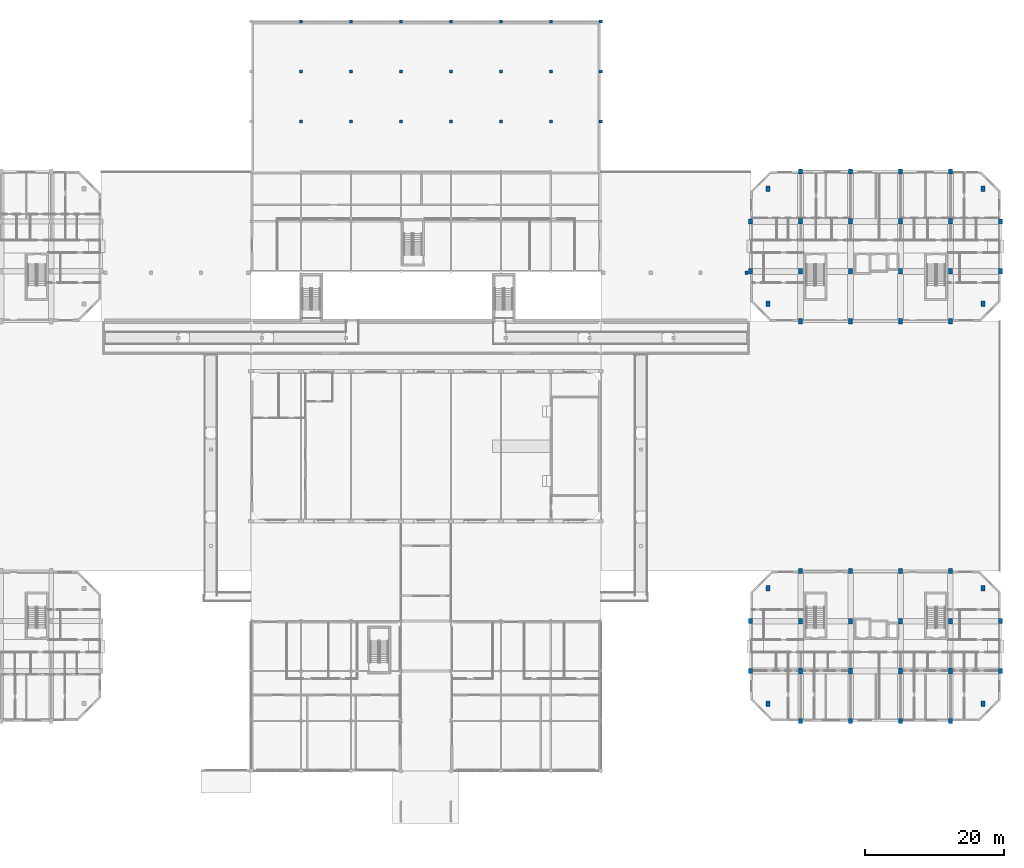
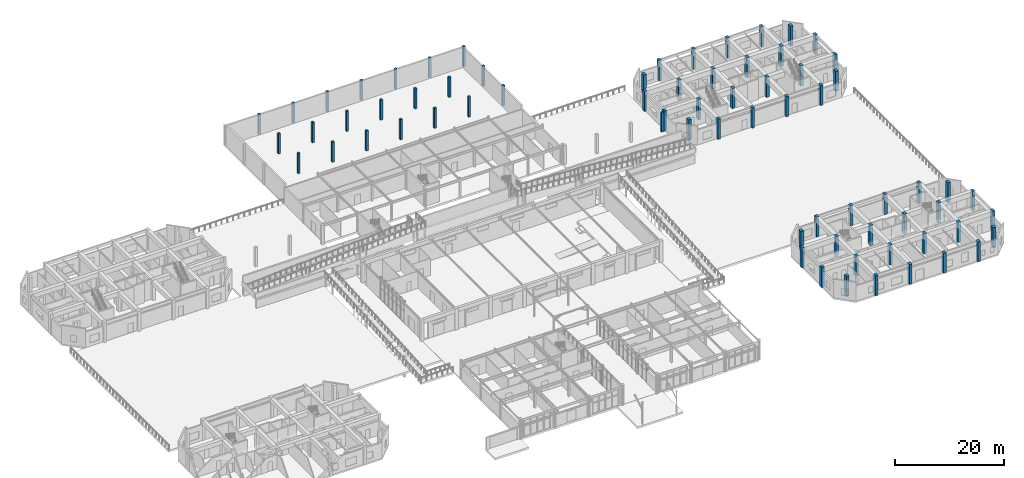
# One storey, part 20 of 85: 70 columns.
"""IFC4 building model written with IfcOpenShell, lengths in metres."""

from ifc_helpers import new_model, si_unit, direction, frame, origin, origin_2d, place, context, subcontext, project, spatial, rectangle, extrude, material, material_profile, profile_set, type_object, element, save


model = new_model("IFC4")

# Units and contexts
model_context = context("Model", 3, precision=1e-05, world=origin(), true_north=direction((0.0, 1.0)))
body_context = subcontext(model_context, "Body", "Model", "MODEL_VIEW")
ifc_project = project(units=[si_unit("LENGTHUNIT", "METRE"), si_unit("AREAUNIT", "SQUARE_METRE"), si_unit("VOLUMEUNIT", "CUBIC_METRE"), si_unit("PLANEANGLEUNIT", "RADIAN"), si_unit("MASSUNIT", "GRAM", prefix="KILO")], contexts=[model_context])

# Site, building, storey
site_placement = place(None, origin())
site = spatial("IfcSite", under=ifc_project, at=site_placement, CompositionType="ELEMENT")
building_placement = place(site_placement, origin())
building = spatial("IfcBuilding", under=site, at=building_placement, Name="Ochrevale Crest", CompositionType="ELEMENT")
storey_placement = place(building_placement, origin())
storey = spatial("IfcBuildingStorey", under=building, at=storey_placement, Name="L00", CompositionType="ELEMENT", Elevation=0.0)

# Columns
ifc_material_1 = material(Name="Precast concrete C40/50", Category="concrete")
ifc_material_profile_1 = material_profile(ifc_material_1, rectangle(XDim=0.449951171875, YDim=0.449951171875, at=origin_2d()), Name="RC 450x450")
ifc_profile_set_1 = profile_set([ifc_material_profile_1], Name="Precast concrete C40/50")
column_type_1 = type_object("IfcColumnType", Name="COL-RC450x450", PredefinedType="COLUMN", material=ifc_profile_set_1)
for number, where, z_axis, x_axis, name in (
    (1, (64.800048828125, 100.800048828125, 0.0), (0.0, 0.0, 1.0), (1.0, 0.0, 0.0), "Play court plinth column (64.8,100.8)"),
    (2, (64.800048828125, 108.0, 0.0), (0.0, 0.0, 1.0), (1.0, 0.0, 0.0), "Play court plinth column (64.8,108.0)"),
    (3, (64.800048828125, 115.199951171875, 0.0), (0.0, 0.0, 1.0), (1.0, 0.0, 0.0), "Play court plinth column (64.8,115.2)"),
    (4, (72.0, 100.800048828125, 0.0), (0.0, 0.0, 1.0), (1.0, 0.0, 0.0), "Play court plinth column (72.0,100.8)"),
    (5, (72.0, 108.0, 0.0), (0.0, 0.0, 1.0), (1.0, 0.0, 0.0), "Play court plinth column (72.0,108.0)"),
    (6, (72.0, 115.199951171875, 0.0), (0.0, 0.0, 1.0), (1.0, 0.0, 0.0), "Play court plinth column (72.0,115.2)"),
    (7, (79.199951171875, 100.800048828125, 0.0), (0.0, 0.0, 1.0), (1.0, 0.0, 0.0), "Play court plinth column (79.2,100.8)"),
    (8, (79.199951171875, 108.0, 0.0), (0.0, 0.0, 1.0), (1.0, 0.0, 0.0), "Play court plinth column (79.2,108.0)"),
    (9, (79.199951171875, 115.199951171875, 0.0), (0.0, 0.0, 1.0), (1.0, 0.0, 0.0), "Play court plinth column (79.2,115.2)"),
    (10, (86.39990234375, 100.800048828125, 0.0), (0.0, 0.0, 1.0), (1.0, 0.0, 0.0), "Play court plinth column (86.4,100.8)"),
    (11, (86.39990234375, 108.0, 0.0), (0.0, 0.0, 1.0), (1.0, 0.0, 0.0), "Play court plinth column (86.4,108.0)"),
    (12, (86.39990234375, 115.199951171875, 0.0), (0.0, 0.0, 1.0), (1.0, 0.0, 0.0), "Play court plinth column (86.4,115.2)"),
    (13, (93.60009765625, 100.800048828125, 0.0), (0.0, 0.0, 1.0), (1.0, 0.0, 0.0), "Play court plinth column (93.6,100.8)"),
    (14, (93.60009765625, 108.0, 0.0), (0.0, 0.0, 1.0), (1.0, 0.0, 0.0), "Play court plinth column (93.6,108.0)"),
    (15, (93.60009765625, 115.199951171875, 0.0), (0.0, 0.0, 1.0), (1.0, 0.0, 0.0), "Play court plinth column (93.6,115.2)"),
    (16, (100.800048828125, 100.800048828125, 0.0), (0.0, 0.0, 1.0), (1.0, 0.0, 0.0), "Play court plinth column (100.8,100.8)"),
    (17, (100.800048828125, 108.0, 0.0), (0.0, 0.0, 1.0), (1.0, 0.0, 0.0), "Play court plinth column (100.8,108.0)"),
    (18, (100.800048828125, 115.199951171875, 0.0), (0.0, 0.0, 1.0), (1.0, 0.0, 0.0), "Play court plinth column (100.8,115.2)"),
    (19, (108.0, 100.800048828125, 0.0), (0.0, 0.0, 1.0), (1.0, 0.0, 0.0), "Play court plinth column (108.0,100.8)"),
    (20, (108.0, 108.0, 0.0), (0.0, 0.0, 1.0), (1.0, 0.0, 0.0), "Play court plinth column (108.0,108.0)"),
    (21, (108.0, 115.199951171875, 0.0), (0.0, 0.0, 1.0), (1.0, 0.0, 0.0), "Play court plinth column (108.0,115.2)"),
):
    element("IfcColumn", number, at=place(storey_placement, frame(where, z_axis=z_axis, x_axis=x_axis)), inside=storey, type_object=column_type_1, Name=name, PredefinedType="COLUMN", context=body_context, shape_type="SweptSolid", body=[
        extrude(rectangle(XDim=0.449951171875, YDim=0.449951171875, at=origin_2d()), origin(), (0.0, 0.0, 1.0), 4.5),
    ])
column_placement = place(storey_placement, frame((129.0, 79.0, 0.0), z_axis=(0.0, 0.0, 1.0), x_axis=(1.0, 0.0, 0.0)))
element("IfcColumn", 22, at=column_placement, inside=storey, type_object=column_type_1, Name="Step 3 promenade support column", PredefinedType="COLUMN", context=body_context, shape_type="SweptSolid", body=[
    extrude(rectangle(XDim=0.449951171875, YDim=0.449951171875, at=origin_2d()), origin(), (0.0, 0.0, 1.0), 4.27490234375),
])
ifc_material_2 = material(Name="Precast concrete C50/60", Category="concrete")
ifc_material_profile_2 = material_profile(ifc_material_2, rectangle(XDim=0.550048828125, YDim=0.75, at=origin_2d()), Name="RC 550x750")
ifc_profile_set_2 = profile_set([ifc_material_profile_2], Name="Precast concrete C50/60")
column_type_2 = type_object("IfcColumnType", Name="COL-RC550x750", PredefinedType="COLUMN", material=ifc_profile_set_2)
for number, where, z_axis, x_axis, name in (
    (23, (129.60009765625, 21.60009765625, 0.0), (0.0, 0.0, 1.0), (1.0, 0.0, 0.0), "Block C L00 column (129.6,21.6)"),
    (24, (129.60009765625, 28.800048828125, 0.0), (0.0, 0.0, 1.0), (1.0, 0.0, 0.0), "Block C L00 column (129.6,28.8)"),
    (25, (136.800048828125, 14.39990234375, 0.0), (0.0, 0.0, 1.0), (1.0, 0.0, 0.0), "Block C L00 column (136.8,14.4)"),
    (26, (136.800048828125, 36.0, 0.0), (0.0, 0.0, 1.0), (1.0, 0.0, 0.0), "Block C L00 column (136.8,36.0)"),
    (27, (144.0, 14.39990234375, 0.0), (0.0, 0.0, 1.0), (1.0, 0.0, 0.0), "Block C L00 column (144.0,14.4)"),
    (28, (144.0, 36.0, 0.0), (0.0, 0.0, 1.0), (1.0, 0.0, 0.0), "Block C L00 column (144.0,36.0)"),
    (29, (151.199951171875, 14.39990234375, 0.0), (0.0, 0.0, 1.0), (1.0, 0.0, 0.0), "Block C L00 column (151.2,14.4)"),
    (30, (151.199951171875, 36.0, 0.0), (0.0, 0.0, 1.0), (1.0, 0.0, 0.0), "Block C L00 column (151.2,36.0)"),
    (31, (158.39990234375, 14.39990234375, 0.0), (0.0, 0.0, 1.0), (1.0, 0.0, 0.0), "Block C L00 column (158.4,14.4)"),
    (32, (158.39990234375, 36.0, 0.0), (0.0, 0.0, 1.0), (1.0, 0.0, 0.0), "Block C L00 column (158.4,36.0)"),
    (33, (165.60009765625, 21.60009765625, 0.0), (0.0, 0.0, 1.0), (1.0, 0.0, 0.0), "Block C L00 column (165.6,21.6)"),
    (34, (165.60009765625, 28.800048828125, 0.0), (0.0, 0.0, 1.0), (1.0, 0.0, 0.0), "Block C L00 column (165.6,28.8)"),
    (35, (129.60009765625, 79.199951171875, 0.0), (0.0, 0.0, 1.0), (1.0, 0.0, 0.0), "Block D L00 column (129.6,79.2)"),
    (36, (129.60009765625, 86.39990234375, 0.0), (0.0, 0.0, 1.0), (1.0, 0.0, 0.0), "Block D L00 column (129.6,86.4)"),
    (37, (136.800048828125, 72.0, 0.0), (0.0, 0.0, 1.0), (1.0, 0.0, 0.0), "Block D L00 column (136.8,72.0)"),
    (38, (136.800048828125, 93.60009765625, 0.0), (0.0, 0.0, 1.0), (1.0, 0.0, 0.0), "Block D L00 column (136.8,93.6)"),
    (39, (144.0, 72.0, 0.0), (0.0, 0.0, 1.0), (1.0, 0.0, 0.0), "Block D L00 column (144.0,72.0)"),
    (40, (144.0, 93.60009765625, 0.0), (0.0, 0.0, 1.0), (1.0, 0.0, 0.0), "Block D L00 column (144.0,93.6)"),
    (41, (151.199951171875, 72.0, 0.0), (0.0, 0.0, 1.0), (1.0, 0.0, 0.0), "Block D L00 column (151.2,72.0)"),
    (42, (151.199951171875, 93.60009765625, 0.0), (0.0, 0.0, 1.0), (1.0, 0.0, 0.0), "Block D L00 column (151.2,93.6)"),
    (43, (158.39990234375, 72.0, 0.0), (0.0, 0.0, 1.0), (1.0, 0.0, 0.0), "Block D L00 column (158.4,72.0)"),
    (44, (158.39990234375, 93.60009765625, 0.0), (0.0, 0.0, 1.0), (1.0, 0.0, 0.0), "Block D L00 column (158.4,93.6)"),
    (45, (165.60009765625, 79.199951171875, 0.0), (0.0, 0.0, 1.0), (1.0, 0.0, 0.0), "Block D L00 column (165.6,79.2)"),
    (46, (165.60009765625, 86.39990234375, 0.0), (0.0, 0.0, 1.0), (1.0, 0.0, 0.0), "Block D L00 column (165.6,86.4)"),
):
    element("IfcColumn", number, at=place(storey_placement, frame(where, z_axis=z_axis, x_axis=x_axis)), inside=storey, type_object=column_type_2, Name=name, PredefinedType="COLUMN", context=body_context, shape_type="SweptSolid", body=[
        extrude(rectangle(XDim=0.550048828125, YDim=0.75, at=origin_2d()), origin(), (0.0, 0.0, 1.0), 4.5),
    ])
ifc_material_3 = material(Name="Concrete C50/60", Category="concrete")
ifc_material_profile_3 = material_profile(ifc_material_3, rectangle(XDim=0.60009765625, YDim=0.800048828125, at=origin_2d()), Name="RC 600x800")
ifc_profile_set_3 = profile_set([ifc_material_profile_3], Name="Concrete C50/60")
column_type_3 = type_object("IfcColumnType", Name="COL-RC600x800", PredefinedType="COLUMN", material=ifc_profile_set_3)
for number, where, z_axis, x_axis, name in (
    (47, (132.10009765625, 16.89990234375, 0.0), (0.0, 0.0, 1.0), (1.0, 0.0, 0.0), "Block C L00 column (132.1,16.9)"),
    (48, (132.10009765625, 33.5, 0.0), (0.0, 0.0, 1.0), (1.0, 0.0, 0.0), "Block C L00 column (132.1,33.5)"),
    (49, (136.800048828125, 21.60009765625, 0.0), (0.0, 0.0, 1.0), (1.0, 0.0, 0.0), "Block C L00 column (136.8,21.6)"),
    (50, (136.800048828125, 28.800048828125, 0.0), (0.0, 0.0, 1.0), (1.0, 0.0, 0.0), "Block C L00 column (136.8,28.8)"),
    (51, (144.0, 21.60009765625, 0.0), (0.0, 0.0, 1.0), (1.0, 0.0, 0.0), "Block C L00 column (144.0,21.6)"),
    (52, (144.0, 28.800048828125, 0.0), (0.0, 0.0, 1.0), (1.0, 0.0, 0.0), "Block C L00 column (144.0,28.8)"),
    (53, (151.199951171875, 21.60009765625, 0.0), (0.0, 0.0, 1.0), (1.0, 0.0, 0.0), "Block C L00 column (151.2,21.6)"),
    (54, (151.199951171875, 28.800048828125, 0.0), (0.0, 0.0, 1.0), (1.0, 0.0, 0.0), "Block C L00 column (151.2,28.8)"),
    (55, (158.39990234375, 21.60009765625, 0.0), (0.0, 0.0, 1.0), (1.0, 0.0, 0.0), "Block C L00 column (158.4,21.6)"),
    (56, (158.39990234375, 28.800048828125, 0.0), (0.0, 0.0, 1.0), (1.0, 0.0, 0.0), "Block C L00 column (158.4,28.8)"),
    (57, (163.10009765625, 16.89990234375, 0.0), (0.0, 0.0, 1.0), (1.0, 0.0, 0.0), "Block C L00 column (163.1,16.9)"),
    (58, (163.10009765625, 33.5, 0.0), (0.0, 0.0, 1.0), (1.0, 0.0, 0.0), "Block C L00 column (163.1,33.5)"),
    (59, (132.10009765625, 74.5, 0.0), (0.0, 0.0, 1.0), (1.0, 0.0, 0.0), "Block D L00 column (132.1,74.5)"),
    (60, (132.10009765625, 91.10009765625, 0.0), (0.0, 0.0, 1.0), (1.0, 0.0, 0.0), "Block D L00 column (132.1,91.1)"),
    (61, (136.800048828125, 79.199951171875, 0.0), (0.0, 0.0, 1.0), (1.0, 0.0, 0.0), "Block D L00 column (136.8,79.2)"),
    (62, (136.800048828125, 86.39990234375, 0.0), (0.0, 0.0, 1.0), (1.0, 0.0, 0.0), "Block D L00 column (136.8,86.4)"),
    (63, (144.0, 79.199951171875, 0.0), (0.0, 0.0, 1.0), (1.0, 0.0, 0.0), "Block D L00 column (144.0,79.2)"),
    (64, (144.0, 86.39990234375, 0.0), (0.0, 0.0, 1.0), (1.0, 0.0, 0.0), "Block D L00 column (144.0,86.4)"),
    (65, (151.199951171875, 79.199951171875, 0.0), (0.0, 0.0, 1.0), (1.0, 0.0, 0.0), "Block D L00 column (151.2,79.2)"),
    (66, (151.199951171875, 86.39990234375, 0.0), (0.0, 0.0, 1.0), (1.0, 0.0, 0.0), "Block D L00 column (151.2,86.4)"),
    (67, (158.39990234375, 79.199951171875, 0.0), (0.0, 0.0, 1.0), (1.0, 0.0, 0.0), "Block D L00 column (158.4,79.2)"),
    (68, (158.39990234375, 86.39990234375, 0.0), (0.0, 0.0, 1.0), (1.0, 0.0, 0.0), "Block D L00 column (158.4,86.4)"),
    (69, (163.10009765625, 74.5, 0.0), (0.0, 0.0, 1.0), (1.0, 0.0, 0.0), "Block D L00 column (163.1,74.5)"),
    (70, (163.10009765625, 91.10009765625, 0.0), (0.0, 0.0, 1.0), (1.0, 0.0, 0.0), "Block D L00 column (163.1,91.1)"),
):
    element("IfcColumn", number, at=place(storey_placement, frame(where, z_axis=z_axis, x_axis=x_axis)), inside=storey, type_object=column_type_3, Name=name, PredefinedType="COLUMN", context=body_context, shape_type="SweptSolid", body=[
        extrude(rectangle(XDim=0.60009765625, YDim=0.800048828125, at=origin_2d()), origin(), (0.0, 0.0, 1.0), 4.5),
    ])

save(model, "model.ifc")
